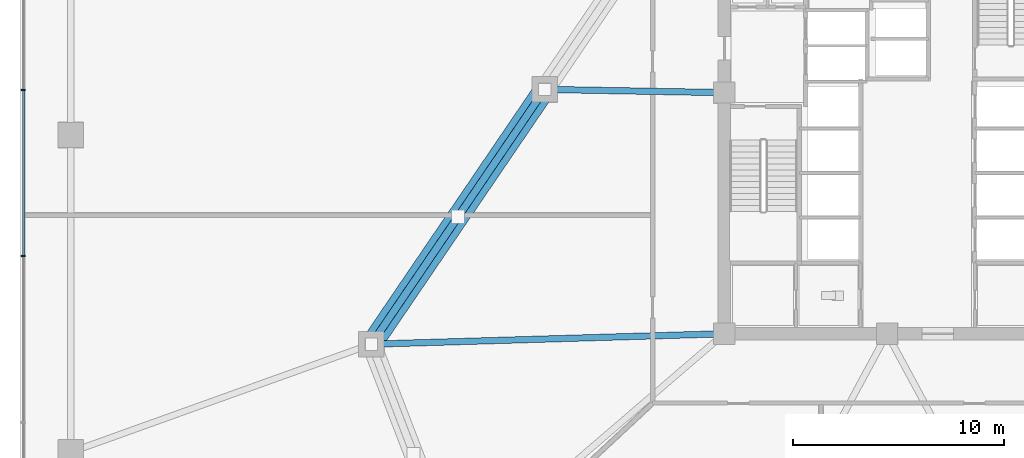
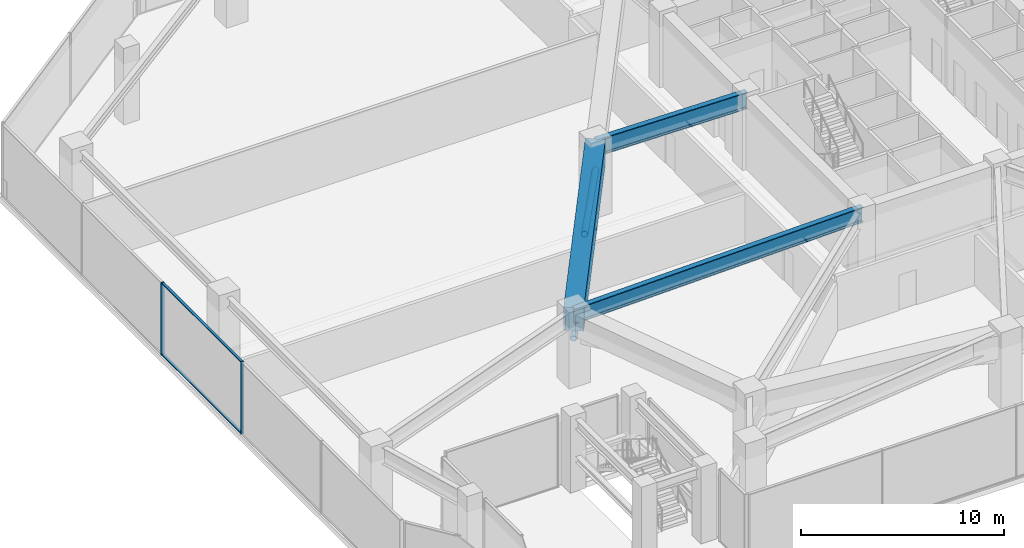
# One storey, part 4 of 23: 6 members, 3 beams, 1 element without a shape of its own.
"""IFC4 building model written with IfcOpenShell, lengths in metres."""

from ifc_helpers import new_model, si_unit, direction, frame, origin, origin_2d, place, context, subcontext, project, spatial, rectangle, hollow_circle, i_section, extrude, material, material_profile, profile_set, type_object, element, aggregate, save


model = new_model("IFC4")

# Units and contexts
model_context = context("Model", 3, precision=1e-05, world=origin(), true_north=direction((0.0, 1.0)))
body_context = subcontext(model_context, "Body", "Model", "MODEL_VIEW")
ifc_project = project(units=[si_unit("LENGTHUNIT", "METRE"), si_unit("AREAUNIT", "SQUARE_METRE"), si_unit("VOLUMEUNIT", "CUBIC_METRE"), si_unit("PLANEANGLEUNIT", "RADIAN"), si_unit("MASSUNIT", "GRAM", prefix="KILO")], contexts=[model_context])

# Site, building, storey
site_placement = place(None, origin())
site = spatial("IfcSite", under=ifc_project, at=site_placement, CompositionType="ELEMENT")
building_placement = place(site_placement, origin())
building = spatial("IfcBuilding", under=site, at=building_placement, Name="Savorim Split Tower", CompositionType="ELEMENT")
storey_placement = place(building_placement, frame((0.0, 0.0, 21.800048828125)))
storey = spatial("IfcBuildingStorey", under=building, at=storey_placement, Name="L05", CompositionType="ELEMENT", Elevation=21.800048828125)

# Beams
ifc_material_1 = material(Name="Steel S460", Category="steel")
ifc_material_profile_1 = material_profile(ifc_material_1, i_section(OverallWidth=0.302001953125, OverallDepth=1.008056640625, WebThickness=0.02099609375, FlangeThickness=0.0400390625, FilletRadius=0.030029296875, at=origin_2d()), Name="HE 1000 M")
ifc_profile_set_1 = profile_set([ifc_material_profile_1], Name="Steel S460")
beam_type_1 = type_object("IfcBeamType", Name="BM-TRF-HEM1000", PredefinedType="BEAM", material=ifc_profile_set_1)
beam_1_placement = place(storey_placement, frame((-16.1884765625, 2.15380859375, 3.845947265625), z_axis=(0.999835880654, -0.018116615514, 0.0), x_axis=(0.018116615514, 0.999835880654, 0.0)))
element("IfcBeam", 1, at=beam_1_placement, inside=storey, type_object=beam_type_1, Name="L05 Radial Transfer Girder PC-W2", PredefinedType="BEAM", context=body_context, shape_type="SweptSolid", body=[
    extrude(i_section(OverallWidth=0.302001953125, OverallDepth=1.008056640625, WebThickness=0.02099609375, FlangeThickness=0.0400390625, FilletRadius=0.030029296875, at=origin_2d()), origin(), (0.0, 0.0, 1.0), 8.489990234375),
])
ifc_material_profile_2 = material_profile(ifc_material_1, i_section(OverallWidth=0.302001953125, OverallDepth=0.909912109375, WebThickness=0.02099609375, FlangeThickness=0.0400390625, FilletRadius=0.030029296875, at=origin_2d()), Name="HE 900 M")
ifc_profile_set_2 = profile_set([ifc_material_profile_2], Name="Steel S460")
beam_type_2 = type_object("IfcBeamType", Name="BM-TRF-HEM900", PredefinedType="BEAM", material=ifc_profile_set_2)
beam_2_placement = place(storey_placement, frame((-24.384521484375, -9.894287109375, 3.89501953125), z_axis=(0.999561283227, 0.029618255758, 0.0), x_axis=(-0.029618255758, 0.999561283227, 0.0)))
element("IfcBeam", 2, at=beam_2_placement, inside=storey, type_object=beam_type_2, Name="L05 Radial Transfer Girder PC-W3", PredefinedType="BEAM", context=body_context, shape_type="SweptSolid", body=[
    extrude(i_section(OverallWidth=0.302001953125, OverallDepth=0.909912109375, WebThickness=0.02099609375, FlangeThickness=0.0400390625, FilletRadius=0.030029296875, at=origin_2d()), origin(), (0.0, 0.0, 1.0), 16.69189453125),
])
ifc_material_2 = material(Name="Concrete C60/75", Category="concrete")
ifc_material_profile_3 = material_profile(ifc_material_2, rectangle(XDim=1.0, YDim=1.39990234375, at=origin_2d()), Name="RC 1000x1400")
ifc_profile_set_3 = profile_set([ifc_material_profile_3], Name="Concrete C60/75")
beam_type_3 = type_object("IfcBeamType", Name="BM-TRF-RC1400", PredefinedType="BEAM", material=ifc_profile_set_3)
beam_3_placement = place(storey_placement, frame((-16.1884765625, 2.15380859375, 3.64990234375), z_axis=(-0.562466741436, -0.82681991073, 0.0), x_axis=(0.82681991073, -0.562466741436, 0.0)))
element("IfcBeam", 3, at=beam_3_placement, inside=storey, type_object=beam_type_3, Name="L05 Transfer Belt Girder PC-W2-PC-W3", PredefinedType="BEAM", context=body_context, shape_type="SweptSolid", body=[
    extrude(rectangle(XDim=1.0, YDim=1.39990234375, at=origin_2d()), origin(), (0.0, 0.0, 1.0), 14.571533203125),
])

# Curtain wall, members
ifc_material_3 = material(Name="Dark Ceramic-Fritted Insulated Glass", Category="glass")
curtain_wall_type = type_object("IfcCurtainWallType", Name="CW-REFUGE-LVR", PredefinedType="NOTDEFINED", material=ifc_material_3)
curtain_wall_placement = place(storey_placement, origin())
curtain_wall = element("IfcCurtainWall", 4, at=curtain_wall_placement, inside=storey, type_object=curtain_wall_type, Name="L05 Curtain Wall CW-L05-E10", PredefinedType="NOTDEFINED")
ifc_material_4 = material(Name="Charcoal Anodised Aluminium", Category="aluminium")
ifc_material_profile_4 = material_profile(ifc_material_4, rectangle(XDim=0.179931640625, YDim=0.06494140625, at=origin_2d()), Name="ALU-M 180x65")
ifc_profile_set_4 = profile_set([ifc_material_profile_4], Name="Charcoal Anodised Aluminium")
member_type_1 = type_object("IfcMemberType", Name="CWM-180x65", PredefinedType="MULLION", material=ifc_profile_set_4)
member_1_placement = place(storey_placement, frame((-40.840087890625, 2.132080078125, 0.0), z_axis=(0.0, 0.0, 1.0), x_axis=(1.0, 0.0, 0.0)))
member_1 = element("IfcMember", 5, at=member_1_placement, type_object=member_type_1, Name="CW-06 mullion 3", PredefinedType="MULLION", context=body_context, shape_type="SweptSolid", body=[
    extrude(rectangle(XDim=0.179931640625, YDim=0.06494140625, at=origin_2d()), origin(), (0.0, 0.0, 1.0), 4.349853515625),
])
member_2_placement = place(storey_placement, frame((-40.840087890625, -5.73193359375, 0.0), z_axis=(0.0, 0.0, 1.0), x_axis=(1.0, 0.0, 0.0)))
member_2 = element("IfcMember", 6, at=member_2_placement, type_object=member_type_1, Name="CW-06 mullion 4", PredefinedType="MULLION", context=body_context, shape_type="SweptSolid", body=[
    extrude(rectangle(XDim=0.179931640625, YDim=0.06494140625, at=origin_2d()), origin(), (0.0, 0.0, 1.0), 4.349853515625),
])
ifc_material_profile_5 = material_profile(ifc_material_4, rectangle(XDim=0.139892578125, YDim=0.054931640625, at=origin_2d()), Name="ALU-T 140x55")
ifc_profile_set_5 = profile_set([ifc_material_profile_5], Name="Charcoal Anodised Aluminium")
member_type_2 = type_object("IfcMemberType", Name="CWT-140x55", PredefinedType="USERDEFINED", material=ifc_profile_set_5)
member_3_placement = place(storey_placement, frame((-40.840087890625, 2.099609375, 0.02734375), z_axis=(0.0, -1.0, 0.0), x_axis=(1.0, 0.0, 0.0)))
member_3 = element("IfcMember", 7, at=member_3_placement, type_object=member_type_2, Name="CW-06 transom 3.1", ObjectType="TRANSOM", PredefinedType="USERDEFINED", context=body_context, shape_type="SweptSolid", body=[
    extrude(rectangle(XDim=0.139892578125, YDim=0.054931640625, at=origin_2d()), origin(), (0.0, 0.0, 1.0), 7.799072265625),
])
member_4_placement = place(storey_placement, frame((-40.840087890625, 2.099609375, 4.322509765625), z_axis=(0.0, -1.0, 0.0), x_axis=(1.0, 0.0, 0.0)))
member_4 = element("IfcMember", 8, at=member_4_placement, type_object=member_type_2, Name="CW-06 transom 3.2", ObjectType="TRANSOM", PredefinedType="USERDEFINED", context=body_context, shape_type="SweptSolid", body=[
    extrude(rectangle(XDim=0.139892578125, YDim=0.054931640625, at=origin_2d()), origin(), (0.0, 0.0, 1.0), 7.799072265625),
])
aggregate(curtain_wall, [member_1, member_2, member_3, member_4])

# Members
ifc_material_profile_6 = material_profile(ifc_material_1, hollow_circle(Radius=0.177734375, WallThickness=0.02001953125, at=origin_2d()), Name="CHS 355.6x20")
ifc_profile_set_6 = profile_set([ifc_material_profile_6], Name="Steel S460")
member_type_3 = type_object("IfcMemberType", Name="MBR-BLT-CHS355", PredefinedType="BRACE", material=ifc_profile_set_6)
member_5_placement = place(storey_placement, frame((-16.1884765625, 2.15380859375, 2.47998046875), z_axis=(-0.555115752705, -0.816006267007, 0.161183973471), x_axis=(0.826817419549, -0.562470403426, 0.0)))
element("IfcMember", 9, at=member_5_placement, inside=storey, type_object=member_type_3, Name="L05 Transfer Belt Truss Brace 9A", PredefinedType="BRACE", context=body_context, shape_type="SweptSolid", body=[
    extrude(hollow_circle(Radius=0.177734375, WallThickness=0.02001953125, at=origin_2d()), origin(), (0.0, 0.0, 1.0), 7.382568359375),
])
member_6_placement = place(storey_placement, frame((-24.384521484375, -9.894287109375, 2.47998046875), z_axis=(0.555107852888, 0.816010197328, 0.161191282393), x_axis=(-0.82682240201, 0.562463079263, 0.0)))
element("IfcMember", 10, at=member_6_placement, inside=storey, type_object=member_type_3, Name="L05 Transfer Belt Truss Brace 9B", PredefinedType="BRACE", context=body_context, shape_type="SweptSolid", body=[
    extrude(hollow_circle(Radius=0.177734375, WallThickness=0.02001953125, at=origin_2d()), origin(), (0.0, 0.0, 1.0), 7.382080078125),
])

save(model, "model.ifc")
